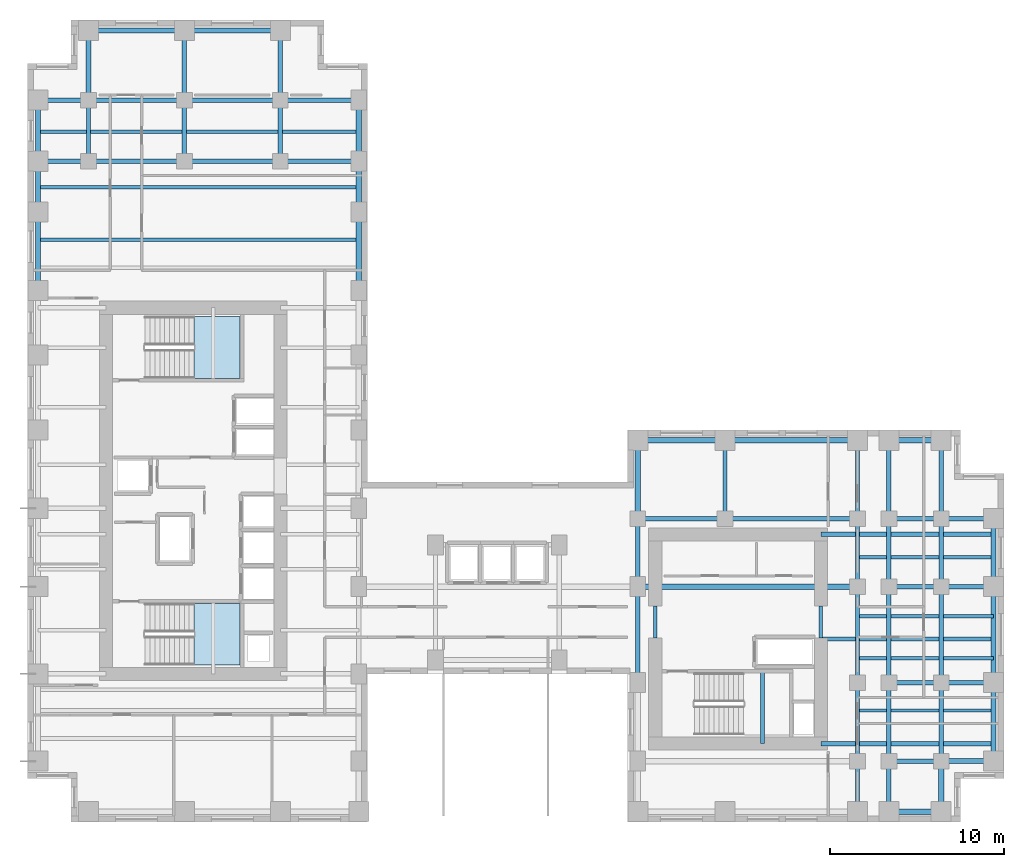
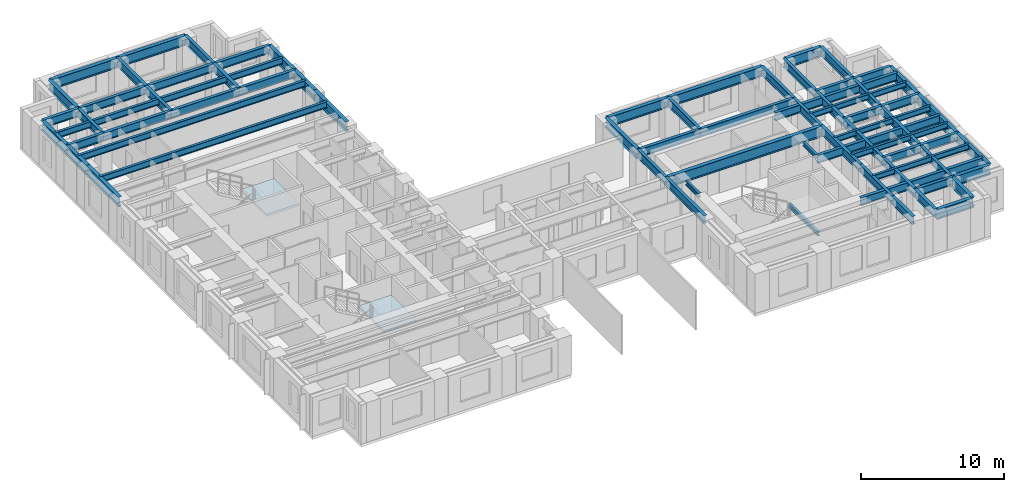
# One storey, part 2 of 11: 72 beams, 2 slabs, 2 elements without a shape of their own.
"""IFC4 building model written with IfcOpenShell, lengths in metres."""

from ifc_helpers import new_model, si_unit, direction, frame, origin, origin_2d, place, context, subcontext, project, spatial, polyline, i_section, outline, extrude, source, transform, mapped, material, layer, layer_set, material_profile, profile_set, type_object, element, aggregate, save


model = new_model("IFC4")

# Units and contexts
model_context = context("Model", 3, precision=1e-05, world=origin(), true_north=direction((0.0, 1.0)))
body_context = subcontext(model_context, "Body", "Model", "MODEL_VIEW")
ifc_project = project(units=[si_unit("LENGTHUNIT", "METRE"), si_unit("AREAUNIT", "SQUARE_METRE"), si_unit("VOLUMEUNIT", "CUBIC_METRE"), si_unit("PLANEANGLEUNIT", "RADIAN"), si_unit("MASSUNIT", "GRAM", prefix="KILO")], contexts=[model_context])

# Site, building, storey
site_placement = place(None, origin())
site = spatial("IfcSite", under=ifc_project, at=site_placement, CompositionType="ELEMENT")
building_placement = place(site_placement, origin())
building = spatial("IfcBuilding", under=site, at=building_placement, Name="Kharzan Plaza Tower", CompositionType="ELEMENT")
storey_placement = place(building_placement, frame((0.0, 0.0, 120.60009765625)))
storey = spatial("IfcBuildingStorey", under=building, at=storey_placement, Name="L32", CompositionType="ELEMENT", Elevation=120.60009765625)

# Beams
ifc_material_1 = material(Name="Steel S355", Category="steel")
ifc_material_profile_1 = material_profile(ifc_material_1, i_section(OverallWidth=0.205078125, OverallDepth=0.35400390625, WebThickness=0.009521484375, FlangeThickness=0.016845703125, at=origin_2d()), Name="W360x79")
ifc_profile_set_1 = profile_set([ifc_material_profile_1], Name="Steel S355")
beam_type_1 = type_object("IfcBeamType", Name="BM-LNT360", PredefinedType="LINTEL", material=ifc_profile_set_1)
shared_shape_1 = source(origin(), body_context, "Body", "SweptSolid", [
    extrude(i_section(OverallWidth=0.205078125, OverallDepth=0.35400390625, WebThickness=0.009521484375, FlangeThickness=0.016845703125, at=origin_2d()), origin(), (0.0, 0.0, 1.0), 1.849853515625),
])
for number, where, z_axis, x_axis, name in (
    (1, (45.5, 10.550048828125, 3.202880859375), (0.0, 1.0, 0.0), (-1.0, 0.0, 0.0), "L32 CORE-B coupling lintel LN1-WE"),
    (2, (36.0, 10.550048828125, 3.202880859375), (0.0, 1.0, 0.0), (-1.0, 0.0, 0.0), "L32 CORE-B coupling lintel LN1-WW"),
):
    element("IfcBeam", number, at=place(storey_placement, frame(where, z_axis=z_axis, x_axis=x_axis)), inside=storey, type_object=beam_type_1, Name=name, PredefinedType="LINTEL", context=body_context, shape_type="MappedRepresentation", body=[
        mapped(shared_shape_1, transform((0.0, 0.0, 0.0), x_axis=(1.0, 0.0, 0.0), y_axis=(0.0, 1.0, 0.0), z_axis=(0.0, 0.0, 1.0))),
    ])
shared_shape_2 = source(origin(), body_context, "Body", "SweptSolid", [
    extrude(i_section(OverallWidth=0.205078125, OverallDepth=0.35400390625, WebThickness=0.009521484375, FlangeThickness=0.016845703125, at=origin_2d()), origin(), (0.0, 0.0, 1.0), 4.155029296875),
])
beam_1_placement = place(storey_placement, frame((42.14990234375, 4.5, 1.4228515625), z_axis=(0.0, 1.0, 0.0), x_axis=(-1.0, 0.0, 0.0)))
element("IfcBeam", 3, at=beam_1_placement, inside=storey, type_object=beam_type_1, Name="L32 Stair ST-3 Half-Landing Beam", PredefinedType="LINTEL", context=body_context, shape_type="MappedRepresentation", body=[
    mapped(shared_shape_2, transform((0.0, 0.0, 0.0), x_axis=(1.0, 0.0, 0.0), y_axis=(0.0, 1.0, 0.0), z_axis=(0.0, 0.0, 1.0))),
])
ifc_material_profile_2 = material_profile(ifc_material_1, i_section(OverallWidth=0.304931640625, OverallDepth=0.9189453125, WebThickness=0.017333984375, FlangeThickness=0.02783203125, at=origin_2d()), Name="W920x253")
ifc_profile_set_2 = profile_set([ifc_material_profile_2], Name="Steel S355")
beam_type_2 = type_object("IfcBeamType", Name="BM-FG920B", PredefinedType="BEAM", material=ifc_profile_set_2)
shared_shape_3 = source(origin(), body_context, "Body", "SweptSolid", [
    extrude(i_section(OverallWidth=0.304931640625, OverallDepth=0.9189453125, WebThickness=0.017333984375, FlangeThickness=0.02783203125, at=origin_2d()), origin(), (0.0, 0.0, 1.0), 12.60009765625),
])
beam_2_placement = place(storey_placement, frame((35.0, 13.5, 2.92041015625), z_axis=(1.0, 0.0, 0.0), x_axis=(0.0, 1.0, 0.0)))
element("IfcBeam", 4, at=beam_2_placement, inside=storey, type_object=beam_type_2, Name="L32 Primary Floor Girder", PredefinedType="BEAM", context=body_context, shape_type="MappedRepresentation", body=[
    mapped(shared_shape_3, transform((0.0, 0.0, 0.0), x_axis=(1.0, 0.0, 0.0), y_axis=(0.0, 1.0, 0.0), z_axis=(0.0, 0.0, 1.0))),
])
ifc_material_profile_3 = material_profile(ifc_material_1, i_section(OverallWidth=0.2099609375, OverallDepth=0.537109375, WebThickness=0.010986328125, FlangeThickness=0.017333984375, at=origin_2d()), Name="W530x101")
ifc_profile_set_3 = profile_set([ifc_material_profile_3], Name="Steel S355")
beam_type_3 = type_object("IfcBeamType", Name="BM-JST530B", PredefinedType="JOIST", material=ifc_profile_set_3)
shared_shape_4 = source(origin(), body_context, "Body", "SweptSolid", [
    extrude(i_section(OverallWidth=0.2099609375, OverallDepth=0.537109375, WebThickness=0.010986328125, FlangeThickness=0.017333984375, at=origin_2d()), origin(), (0.0, 0.0, 1.0), 18.39990234375),
])
for number, where, z_axis, x_axis, name in (
    (5, (0.60009765625, 33.39990234375, 3.111328125), (1.0, 0.0, 0.0), (0.0, 1.0, 0.0), "L32 Wing A Composite Joist 05"),
    (6, (0.60009765625, 36.39990234375, 3.111328125), (1.0, 0.0, 0.0), (0.0, 1.0, 0.0), "L32 Wing A Composite Joist 06"),
    (7, (0.60009765625, 39.60009765625, 3.111328125), (1.0, 0.0, 0.0), (0.0, 1.0, 0.0), "L32 Wing A Composite Joist 07"),
):
    element("IfcBeam", number, at=place(storey_placement, frame(where, z_axis=z_axis, x_axis=x_axis)), inside=storey, type_object=beam_type_3, Name=name, PredefinedType="JOIST", context=body_context, shape_type="MappedRepresentation", body=[
        mapped(shared_shape_4, transform((0.0, 0.0, 0.0), x_axis=(1.0, 0.0, 0.0), y_axis=(0.0, 1.0, 0.0), z_axis=(0.0, 0.0, 1.0))),
    ])
ifc_material_profile_4 = material_profile(ifc_material_1, i_section(OverallWidth=0.25390625, OverallDepth=0.68798828125, WebThickness=0.01318359375, FlangeThickness=0.02099609375, at=origin_2d()), Name="W690x152")
ifc_profile_set_4 = profile_set([ifc_material_profile_4], Name="Steel S355")
beam_type_4 = type_object("IfcBeamType", Name="BM-FG690B", PredefinedType="BEAM", material=ifc_profile_set_4)
shared_shape_5 = source(origin(), body_context, "Body", "SweptSolid", [
    extrude(i_section(OverallWidth=0.25390625, OverallDepth=0.68798828125, WebThickness=0.01318359375, FlangeThickness=0.02099609375, at=origin_2d()), origin(), (0.0, 0.0, 1.0), 4.5),
])
for number, where, z_axis, x_axis, name in (
    (8, (40.0, 17.39990234375, 3.035888671875), (0.0, 1.0, 0.0), (-1.0, 0.0, 0.0), "L32 Interior Frame Girder"),
    (9, (47.60009765625, 3.5, 3.035888671875), (0.0, 1.0, 0.0), (-1.0, 0.0, 0.0), "L32 Interior Frame Girder"),
    (10, (47.60009765625, 17.39990234375, 3.035888671875), (0.0, 1.0, 0.0), (-1.0, 0.0, 0.0), "L32 Interior Frame Girder"),
    (11, (49.39990234375, 3.5, 3.035888671875), (0.0, 1.0, 0.0), (-1.0, 0.0, 0.0), "L32 Interior Frame Girder"),
    (12, (49.39990234375, 17.39990234375, 3.035888671875), (0.0, 1.0, 0.0), (-1.0, 0.0, 0.0), "L32 Interior Frame Girder"),
    (13, (52.39990234375, 3.5, 3.035888671875), (0.0, 1.0, 0.0), (-1.0, 0.0, 0.0), "L32 Interior Frame Girder"),
    (14, (52.39990234375, 17.39990234375, 3.035888671875), (0.0, 1.0, 0.0), (-1.0, 0.0, 0.0), "L32 Interior Frame Girder"),
    (15, (14.5, 37.89990234375, 3.035888671875), (1.0, 0.0, 0.0), (0.0, 1.0, 0.0), "L32 Primary Floor Girder"),
    (16, (14.5, 41.39990234375, 3.035888671875), (1.0, 0.0, 0.0), (0.0, 1.0, 0.0), "L32 Primary Floor Girder"),
):
    element("IfcBeam", number, at=place(storey_placement, frame(where, z_axis=z_axis, x_axis=x_axis)), inside=storey, type_object=beam_type_4, Name=name, PredefinedType="BEAM", context=body_context, shape_type="MappedRepresentation", body=[
        mapped(shared_shape_5, transform((0.0, 0.0, 0.0), x_axis=(1.0, 0.0, 0.0), y_axis=(0.0, 1.0, 0.0), z_axis=(0.0, 0.0, 1.0))),
    ])
shared_shape_6 = source(origin(), body_context, "Body", "SweptSolid", [
    extrude(i_section(OverallWidth=0.25390625, OverallDepth=0.68798828125, WebThickness=0.01318359375, FlangeThickness=0.02099609375, at=origin_2d()), origin(), (0.0, 0.0, 1.0), 3.89990234375),
])
for number, where, z_axis, x_axis, name in (
    (17, (35.0, 13.5, 3.035888671875), (0.0, 1.0, 0.0), (-1.0, 0.0, 0.0), "L32 Interior Frame Girder"),
    (18, (47.60009765625, 13.5, 3.035888671875), (0.0, 1.0, 0.0), (-1.0, 0.0, 0.0), "L32 Interior Frame Girder"),
    (19, (49.39990234375, 13.5, 3.035888671875), (0.0, 1.0, 0.0), (-1.0, 0.0, 0.0), "L32 Interior Frame Girder"),
    (20, (52.39990234375, 13.5, 3.035888671875), (0.0, 1.0, 0.0), (-1.0, 0.0, 0.0), "L32 Interior Frame Girder"),
):
    element("IfcBeam", number, at=place(storey_placement, frame(where, z_axis=z_axis, x_axis=x_axis)), inside=storey, type_object=beam_type_4, Name=name, PredefinedType="BEAM", context=body_context, shape_type="MappedRepresentation", body=[
        mapped(shared_shape_6, transform((0.0, 0.0, 0.0), x_axis=(1.0, 0.0, 0.0), y_axis=(0.0, 1.0, 0.0), z_axis=(0.0, 0.0, 1.0))),
    ])
shared_shape_7 = source(origin(), body_context, "Body", "SweptSolid", [
    extrude(i_section(OverallWidth=0.25390625, OverallDepth=0.68798828125, WebThickness=0.01318359375, FlangeThickness=0.02099609375, at=origin_2d()), origin(), (0.0, 0.0, 1.0), 9.89990234375),
])
for number, where, z_axis, x_axis, name in (
    (21, (45.5, 4.5, 3.035888671875), (1.0, 0.0, 0.0), (0.0, 1.0, 0.0), "L32 Core-B East Floor Girder 1"),
    (22, (45.5, 10.5, 3.035888671875), (1.0, 0.0, 0.0), (0.0, 1.0, 0.0), "L32 Core-B East Floor Girder 2"),
    (23, (45.5, 16.5, 3.035888671875), (1.0, 0.0, 0.0), (0.0, 1.0, 0.0), "L32 Core-B East Floor Girder 3"),
):
    element("IfcBeam", number, at=place(storey_placement, frame(where, z_axis=z_axis, x_axis=x_axis)), inside=storey, type_object=beam_type_4, Name=name, PredefinedType="BEAM", context=body_context, shape_type="MappedRepresentation", body=[
        mapped(shared_shape_7, transform((0.0, 0.0, 0.0), x_axis=(1.0, 0.0, 0.0), y_axis=(0.0, 1.0, 0.0), z_axis=(0.0, 0.0, 1.0))),
    ])
shared_shape_8 = source(origin(), body_context, "Body", "SweptSolid", [
    extrude(i_section(OverallWidth=0.25390625, OverallDepth=0.68798828125, WebThickness=0.01318359375, FlangeThickness=0.02099609375, at=origin_2d()), origin(), (0.0, 0.0, 1.0), 3.5),
])
for number, where, z_axis, x_axis, name in (
    (24, (3.5, 37.89990234375, 3.035888671875), (0.0, 1.0, 0.0), (-1.0, 0.0, 0.0), "L32 Interior Frame Girder"),
    (25, (9.0, 37.89990234375, 3.035888671875), (0.0, 1.0, 0.0), (-1.0, 0.0, 0.0), "L32 Interior Frame Girder"),
    (26, (14.5, 37.89990234375, 3.035888671875), (0.0, 1.0, 0.0), (-1.0, 0.0, 0.0), "L32 Interior Frame Girder"),
):
    element("IfcBeam", number, at=place(storey_placement, frame(where, z_axis=z_axis, x_axis=x_axis)), inside=storey, type_object=beam_type_4, Name=name, PredefinedType="BEAM", context=body_context, shape_type="MappedRepresentation", body=[
        mapped(shared_shape_8, transform((0.0, 0.0, 0.0), x_axis=(1.0, 0.0, 0.0), y_axis=(0.0, 1.0, 0.0), z_axis=(0.0, 0.0, 1.0))),
    ])
shared_shape_9 = source(origin(), body_context, "Body", "SweptSolid", [
    extrude(i_section(OverallWidth=0.25390625, OverallDepth=0.68798828125, WebThickness=0.01318359375, FlangeThickness=0.02099609375, at=origin_2d()), origin(), (0.0, 0.0, 1.0), 4.0),
])
for number, where, z_axis, x_axis, name in (
    (27, (9.0, 41.39990234375, 3.035888671875), (0.0, 1.0, 0.0), (-1.0, 0.0, 0.0), "L32 Interior Frame Girder"),
    (28, (14.5, 41.39990234375, 3.035888671875), (0.0, 1.0, 0.0), (-1.0, 0.0, 0.0), "L32 Interior Frame Girder"),
):
    element("IfcBeam", number, at=place(storey_placement, frame(where, z_axis=z_axis, x_axis=x_axis)), inside=storey, type_object=beam_type_4, Name=name, PredefinedType="BEAM", context=body_context, shape_type="MappedRepresentation", body=[
        mapped(shared_shape_9, transform((0.0, 0.0, 0.0), x_axis=(1.0, 0.0, 0.0), y_axis=(0.0, 1.0, 0.0), z_axis=(0.0, 0.0, 1.0))),
    ])
shared_shape_10 = source(origin(), body_context, "Body", "SweptSolid", [
    extrude(i_section(OverallWidth=0.25390625, OverallDepth=0.68798828125, WebThickness=0.01318359375, FlangeThickness=0.02099609375, at=origin_2d()), origin(), (0.0, 0.0, 1.0), 5.0),
])
beam_3_placement = place(storey_placement, frame((35.0, 17.39990234375, 3.035888671875), z_axis=(1.0, 0.0, 0.0), x_axis=(0.0, 1.0, 0.0)))
element("IfcBeam", 29, at=beam_3_placement, inside=storey, type_object=beam_type_4, Name="L32 Primary Floor Girder", PredefinedType="BEAM", context=body_context, shape_type="MappedRepresentation", body=[
    mapped(shared_shape_10, transform((0.0, 0.0, 0.0), x_axis=(1.0, 0.0, 0.0), y_axis=(0.0, 1.0, 0.0), z_axis=(0.0, 0.0, 1.0))),
])
shared_shape_11 = source(origin(), body_context, "Body", "SweptSolid", [
    extrude(i_section(OverallWidth=0.25390625, OverallDepth=0.68798828125, WebThickness=0.01318359375, FlangeThickness=0.02099609375, at=origin_2d()), origin(), (0.0, 0.0, 1.0), 5.5),
])
for number, where, z_axis, x_axis, name in (
    (30, (35.0, 8.0, 3.035888671875), (0.0, 1.0, 0.0), (-1.0, 0.0, 0.0), "L32 Interior Frame Girder"),
    (31, (47.60009765625, 8.0, 3.035888671875), (0.0, 1.0, 0.0), (-1.0, 0.0, 0.0), "L32 Interior Frame Girder"),
    (32, (49.39990234375, 8.0, 3.035888671875), (0.0, 1.0, 0.0), (-1.0, 0.0, 0.0), "L32 Interior Frame Girder"),
    (33, (52.39990234375, 8.0, 3.035888671875), (0.0, 1.0, 0.0), (-1.0, 0.0, 0.0), "L32 Interior Frame Girder"),
    (34, (3.5, 37.89990234375, 3.035888671875), (1.0, 0.0, 0.0), (0.0, 1.0, 0.0), "L32 Primary Floor Girder"),
    (35, (9.0, 37.89990234375, 3.035888671875), (1.0, 0.0, 0.0), (0.0, 1.0, 0.0), "L32 Primary Floor Girder"),
    (36, (3.5, 41.39990234375, 3.035888671875), (1.0, 0.0, 0.0), (0.0, 1.0, 0.0), "L32 Primary Floor Girder"),
    (37, (9.0, 41.39990234375, 3.035888671875), (1.0, 0.0, 0.0), (0.0, 1.0, 0.0), "L32 Primary Floor Girder"),
):
    element("IfcBeam", number, at=place(storey_placement, frame(where, z_axis=z_axis, x_axis=x_axis)), inside=storey, type_object=beam_type_4, Name=name, PredefinedType="BEAM", context=body_context, shape_type="MappedRepresentation", body=[
        mapped(shared_shape_11, transform((0.0, 0.0, 0.0), x_axis=(1.0, 0.0, 0.0), y_axis=(0.0, 1.0, 0.0), z_axis=(0.0, 0.0, 1.0))),
    ])
shared_shape_12 = source(origin(), body_context, "Body", "SweptSolid", [
    extrude(i_section(OverallWidth=0.25390625, OverallDepth=0.68798828125, WebThickness=0.01318359375, FlangeThickness=0.02099609375, at=origin_2d()), origin(), (0.0, 0.0, 1.0), 2.89990234375),
])
for number, where, z_axis, x_axis, name in (
    (38, (47.60009765625, 0.60009765625, 3.035888671875), (0.0, 1.0, 0.0), (-1.0, 0.0, 0.0), "L32 Interior Frame Girder"),
    (39, (49.39990234375, 0.60009765625, 3.035888671875), (0.0, 1.0, 0.0), (-1.0, 0.0, 0.0), "L32 Interior Frame Girder"),
    (40, (0.60009765625, 37.89990234375, 3.035888671875), (1.0, 0.0, 0.0), (0.0, 1.0, 0.0), "L32 Primary Floor Girder"),
    (41, (0.60009765625, 41.39990234375, 3.035888671875), (1.0, 0.0, 0.0), (0.0, 1.0, 0.0), "L32 Primary Floor Girder"),
):
    element("IfcBeam", number, at=place(storey_placement, frame(where, z_axis=z_axis, x_axis=x_axis)), inside=storey, type_object=beam_type_4, Name=name, PredefinedType="BEAM", context=body_context, shape_type="MappedRepresentation", body=[
        mapped(shared_shape_12, transform((0.0, 0.0, 0.0), x_axis=(1.0, 0.0, 0.0), y_axis=(0.0, 1.0, 0.0), z_axis=(0.0, 0.0, 1.0))),
    ])
shared_shape_13 = source(origin(), body_context, "Body", "SweptSolid", [
    extrude(i_section(OverallWidth=0.25390625, OverallDepth=0.68798828125, WebThickness=0.01318359375, FlangeThickness=0.02099609375, at=origin_2d()), origin(), (0.0, 0.0, 1.0), 3.0),
])
for number, where, z_axis, x_axis, name in (
    (42, (49.39990234375, 3.5, 3.035888671875), (1.0, 0.0, 0.0), (0.0, 1.0, 0.0), "L32 Primary Floor Girder"),
    (43, (49.39990234375, 8.0, 3.035888671875), (1.0, 0.0, 0.0), (0.0, 1.0, 0.0), "L32 Primary Floor Girder"),
    (44, (52.39990234375, 8.0, 3.035888671875), (1.0, 0.0, 0.0), (0.0, 1.0, 0.0), "L32 Primary Floor Girder"),
    (45, (49.39990234375, 13.5, 3.035888671875), (1.0, 0.0, 0.0), (0.0, 1.0, 0.0), "L32 Primary Floor Girder"),
    (46, (52.39990234375, 13.5, 3.035888671875), (1.0, 0.0, 0.0), (0.0, 1.0, 0.0), "L32 Primary Floor Girder"),
    (47, (49.39990234375, 17.39990234375, 3.035888671875), (1.0, 0.0, 0.0), (0.0, 1.0, 0.0), "L32 Primary Floor Girder"),
    (48, (52.39990234375, 17.39990234375, 3.035888671875), (1.0, 0.0, 0.0), (0.0, 1.0, 0.0), "L32 Primary Floor Girder"),
):
    element("IfcBeam", number, at=place(storey_placement, frame(where, z_axis=z_axis, x_axis=x_axis)), inside=storey, type_object=beam_type_4, Name=name, PredefinedType="BEAM", context=body_context, shape_type="MappedRepresentation", body=[
        mapped(shared_shape_13, transform((0.0, 0.0, 0.0), x_axis=(1.0, 0.0, 0.0), y_axis=(0.0, 1.0, 0.0), z_axis=(0.0, 0.0, 1.0))),
    ])
shared_shape_14 = source(origin(), body_context, "Body", "SweptSolid", [
    extrude(i_section(OverallWidth=0.25390625, OverallDepth=0.68798828125, WebThickness=0.01318359375, FlangeThickness=0.02099609375, at=origin_2d()), origin(), (0.0, 0.0, 1.0), 7.60009765625),
])
beam_4_placement = place(storey_placement, frame((40.0, 17.39990234375, 3.035888671875), z_axis=(1.0, 0.0, 0.0), x_axis=(0.0, 1.0, 0.0)))
element("IfcBeam", 49, at=beam_4_placement, inside=storey, type_object=beam_type_4, Name="L32 Primary Floor Girder", PredefinedType="BEAM", context=body_context, shape_type="MappedRepresentation", body=[
    mapped(shared_shape_14, transform((0.0, 0.0, 0.0), x_axis=(1.0, 0.0, 0.0), y_axis=(0.0, 1.0, 0.0), z_axis=(0.0, 0.0, 1.0))),
])
ifc_material_profile_5 = material_profile(ifc_material_1, i_section(OverallWidth=0.194091796875, OverallDepth=0.468994140625, WebThickness=0.011474609375, FlangeThickness=0.0205078125, at=origin_2d()), Name="W460x106")
ifc_profile_set_5 = profile_set([ifc_material_profile_5], Name="Steel S355")
beam_type_5 = type_object("IfcBeamType", Name="BM-JST460", PredefinedType="JOIST", material=ifc_profile_set_5)
shared_shape_15 = source(origin(), body_context, "Body", "SweptSolid", [
    extrude(i_section(OverallWidth=0.194091796875, OverallDepth=0.468994140625, WebThickness=0.011474609375, FlangeThickness=0.0205078125, at=origin_2d()), origin(), (0.0, 0.0, 1.0), 7.7998046875),
])
for number, where, z_axis, x_axis, name in (
    (50, (47.60009765625, 6.39990234375, 3.1455078125), (1.0, 0.0, 0.0), (0.0, 1.0, 0.0), "L32 Wing B Composite Joist 02"),
    (51, (47.60009765625, 9.39990234375, 3.1455078125), (1.0, 0.0, 0.0), (0.0, 1.0, 0.0), "L32 Wing B Composite Joist 03"),
    (52, (47.60009765625, 11.800048828125, 3.1455078125), (1.0, 0.0, 0.0), (0.0, 1.0, 0.0), "L32 Wing B Composite Joist 04"),
    (53, (47.60009765625, 15.199951171875, 3.1455078125), (1.0, 0.0, 0.0), (0.0, 1.0, 0.0), "L32 Wing B Composite Joist 05"),
):
    element("IfcBeam", number, at=place(storey_placement, frame(where, z_axis=z_axis, x_axis=x_axis)), inside=storey, type_object=beam_type_5, Name=name, PredefinedType="JOIST", context=body_context, shape_type="MappedRepresentation", body=[
        mapped(shared_shape_15, transform((0.0, 0.0, 0.0), x_axis=(1.0, 0.0, 0.0), y_axis=(0.0, 1.0, 0.0), z_axis=(0.0, 0.0, 1.0))),
    ])
ifc_material_profile_6 = material_profile(ifc_material_1, i_section(OverallWidth=0.299072265625, OverallDepth=0.845947265625, WebThickness=0.015380859375, FlangeThickness=0.0244140625, at=origin_2d()), Name="W840x210")
ifc_profile_set_6 = profile_set([ifc_material_profile_6], Name="Steel S355")
beam_type_6 = type_object("IfcBeamType", Name="BM-SP840B", PredefinedType="SPANDREL", material=ifc_profile_set_6)
shared_shape_16 = source(origin(), body_context, "Body", "SweptSolid", [
    extrude(i_section(OverallWidth=0.299072265625, OverallDepth=0.845947265625, WebThickness=0.015380859375, FlangeThickness=0.0244140625, at=origin_2d()), origin(), (0.0, 0.0, 1.0), 5.0),
])
beam_5_placement = place(storey_placement, frame((35.0, 21.89990234375, 2.956787109375), z_axis=(1.0, 0.0, 0.0), x_axis=(0.0, 1.0, 0.0)))
element("IfcBeam", 54, at=beam_5_placement, inside=storey, type_object=beam_type_6, Name="L32 Perimeter Tube Spandrel", PredefinedType="SPANDREL", context=body_context, shape_type="MappedRepresentation", body=[
    mapped(shared_shape_16, transform((0.0, 0.0, 0.0), x_axis=(1.0, 0.0, 0.0), y_axis=(0.0, 1.0, 0.0), z_axis=(0.0, 0.0, 1.0))),
])
shared_shape_17 = source(origin(), body_context, "Body", "SweptSolid", [
    extrude(i_section(OverallWidth=0.299072265625, OverallDepth=0.845947265625, WebThickness=0.015380859375, FlangeThickness=0.0244140625, at=origin_2d()), origin(), (0.0, 0.0, 1.0), 4.5),
])
for number, where, z_axis, x_axis, name in (
    (55, (0.60009765625, 30.5, 2.956787109375), (0.0, 1.0, 0.0), (-1.0, 0.0, 0.0), "L32 Perimeter Tube Spandrel"),
    (56, (19.0, 30.5, 2.956787109375), (0.0, 1.0, 0.0), (-1.0, 0.0, 0.0), "L32 Perimeter Tube Spandrel"),
    (57, (35.0, 17.39990234375, 2.956787109375), (0.0, 1.0, 0.0), (-1.0, 0.0, 0.0), "L32 Perimeter Tube Spandrel"),
    (58, (55.39990234375, 3.5, 2.956787109375), (0.0, 1.0, 0.0), (-1.0, 0.0, 0.0), "L32 Perimeter Tube Spandrel"),
):
    element("IfcBeam", number, at=place(storey_placement, frame(where, z_axis=z_axis, x_axis=x_axis)), inside=storey, type_object=beam_type_6, Name=name, PredefinedType="SPANDREL", context=body_context, shape_type="MappedRepresentation", body=[
        mapped(shared_shape_17, transform((0.0, 0.0, 0.0), x_axis=(1.0, 0.0, 0.0), y_axis=(0.0, 1.0, 0.0), z_axis=(0.0, 0.0, 1.0))),
    ])
shared_shape_18 = source(origin(), body_context, "Body", "SweptSolid", [
    extrude(i_section(OverallWidth=0.299072265625, OverallDepth=0.845947265625, WebThickness=0.015380859375, FlangeThickness=0.0244140625, at=origin_2d()), origin(), (0.0, 0.0, 1.0), 2.89990234375),
])
for number, where, z_axis, x_axis, name in (
    (59, (0.60009765625, 35.0, 2.956787109375), (0.0, 1.0, 0.0), (-1.0, 0.0, 0.0), "L32 Perimeter Tube Spandrel"),
    (60, (19.0, 35.0, 2.956787109375), (0.0, 1.0, 0.0), (-1.0, 0.0, 0.0), "L32 Perimeter Tube Spandrel"),
    (61, (52.39990234375, 0.60009765625, 2.956787109375), (0.0, 1.0, 0.0), (-1.0, 0.0, 0.0), "L32 Perimeter Tube Spandrel"),
):
    element("IfcBeam", number, at=place(storey_placement, frame(where, z_axis=z_axis, x_axis=x_axis)), inside=storey, type_object=beam_type_6, Name=name, PredefinedType="SPANDREL", context=body_context, shape_type="MappedRepresentation", body=[
        mapped(shared_shape_18, transform((0.0, 0.0, 0.0), x_axis=(1.0, 0.0, 0.0), y_axis=(0.0, 1.0, 0.0), z_axis=(0.0, 0.0, 1.0))),
    ])
shared_shape_19 = source(origin(), body_context, "Body", "SweptSolid", [
    extrude(i_section(OverallWidth=0.299072265625, OverallDepth=0.845947265625, WebThickness=0.015380859375, FlangeThickness=0.0244140625, at=origin_2d()), origin(), (0.0, 0.0, 1.0), 3.5),
])
for number, where, z_axis, x_axis, name in (
    (62, (0.60009765625, 37.89990234375, 2.956787109375), (0.0, 1.0, 0.0), (-1.0, 0.0, 0.0), "L32 Perimeter Tube Spandrel"),
    (63, (19.0, 37.89990234375, 2.956787109375), (0.0, 1.0, 0.0), (-1.0, 0.0, 0.0), "L32 Perimeter Tube Spandrel"),
):
    element("IfcBeam", number, at=place(storey_placement, frame(where, z_axis=z_axis, x_axis=x_axis)), inside=storey, type_object=beam_type_6, Name=name, PredefinedType="SPANDREL", context=body_context, shape_type="MappedRepresentation", body=[
        mapped(shared_shape_19, transform((0.0, 0.0, 0.0), x_axis=(1.0, 0.0, 0.0), y_axis=(0.0, 1.0, 0.0), z_axis=(0.0, 0.0, 1.0))),
    ])
shared_shape_20 = source(origin(), body_context, "Body", "SweptSolid", [
    extrude(i_section(OverallWidth=0.299072265625, OverallDepth=0.845947265625, WebThickness=0.015380859375, FlangeThickness=0.0244140625, at=origin_2d()), origin(), (0.0, 0.0, 1.0), 4.0),
])
beam_6_placement = place(storey_placement, frame((3.5, 41.39990234375, 2.956787109375), z_axis=(0.0, 1.0, 0.0), x_axis=(-1.0, 0.0, 0.0)))
element("IfcBeam", 64, at=beam_6_placement, inside=storey, type_object=beam_type_6, Name="L32 Perimeter Tube Spandrel", PredefinedType="SPANDREL", context=body_context, shape_type="MappedRepresentation", body=[
    mapped(shared_shape_20, transform((0.0, 0.0, 0.0), x_axis=(1.0, 0.0, 0.0), y_axis=(0.0, 1.0, 0.0), z_axis=(0.0, 0.0, 1.0))),
])
shared_shape_21 = source(origin(), body_context, "Body", "SweptSolid", [
    extrude(i_section(OverallWidth=0.299072265625, OverallDepth=0.845947265625, WebThickness=0.015380859375, FlangeThickness=0.0244140625, at=origin_2d()), origin(), (0.0, 0.0, 1.0), 5.5),
])
for number, where, z_axis, x_axis, name in (
    (65, (55.39990234375, 8.0, 2.956787109375), (0.0, 1.0, 0.0), (-1.0, 0.0, 0.0), "L32 Perimeter Tube Spandrel"),
    (66, (3.5, 45.39990234375, 2.956787109375), (1.0, 0.0, 0.0), (0.0, 1.0, 0.0), "L32 Perimeter Tube Spandrel"),
    (67, (9.0, 45.39990234375, 2.956787109375), (1.0, 0.0, 0.0), (0.0, 1.0, 0.0), "L32 Perimeter Tube Spandrel"),
):
    element("IfcBeam", number, at=place(storey_placement, frame(where, z_axis=z_axis, x_axis=x_axis)), inside=storey, type_object=beam_type_6, Name=name, PredefinedType="SPANDREL", context=body_context, shape_type="MappedRepresentation", body=[
        mapped(shared_shape_21, transform((0.0, 0.0, 0.0), x_axis=(1.0, 0.0, 0.0), y_axis=(0.0, 1.0, 0.0), z_axis=(0.0, 0.0, 1.0))),
    ])
shared_shape_22 = source(origin(), body_context, "Body", "SweptSolid", [
    extrude(i_section(OverallWidth=0.299072265625, OverallDepth=0.845947265625, WebThickness=0.015380859375, FlangeThickness=0.0244140625, at=origin_2d()), origin(), (0.0, 0.0, 1.0), 3.89990234375),
])
beam_7_placement = place(storey_placement, frame((55.39990234375, 13.5, 2.956787109375), z_axis=(0.0, 1.0, 0.0), x_axis=(-1.0, 0.0, 0.0)))
element("IfcBeam", 68, at=beam_7_placement, inside=storey, type_object=beam_type_6, Name="L32 Perimeter Tube Spandrel", PredefinedType="SPANDREL", context=body_context, shape_type="MappedRepresentation", body=[
    mapped(shared_shape_22, transform((0.0, 0.0, 0.0), x_axis=(1.0, 0.0, 0.0), y_axis=(0.0, 1.0, 0.0), z_axis=(0.0, 0.0, 1.0))),
])
shared_shape_23 = source(origin(), body_context, "Body", "SweptSolid", [
    extrude(i_section(OverallWidth=0.299072265625, OverallDepth=0.845947265625, WebThickness=0.015380859375, FlangeThickness=0.0244140625, at=origin_2d()), origin(), (0.0, 0.0, 1.0), 7.60009765625),
])
beam_8_placement = place(storey_placement, frame((40.0, 21.89990234375, 2.956787109375), z_axis=(1.0, 0.0, 0.0), x_axis=(0.0, 1.0, 0.0)))
element("IfcBeam", 69, at=beam_8_placement, inside=storey, type_object=beam_type_6, Name="L32 Perimeter Tube Spandrel", PredefinedType="SPANDREL", context=body_context, shape_type="MappedRepresentation", body=[
    mapped(shared_shape_23, transform((0.0, 0.0, 0.0), x_axis=(1.0, 0.0, 0.0), y_axis=(0.0, 1.0, 0.0), z_axis=(0.0, 0.0, 1.0))),
])
shared_shape_24 = source(origin(), body_context, "Body", "SweptSolid", [
    extrude(i_section(OverallWidth=0.299072265625, OverallDepth=0.845947265625, WebThickness=0.015380859375, FlangeThickness=0.0244140625, at=origin_2d()), origin(), (0.0, 0.0, 1.0), 3.0),
])
for number, where, z_axis, x_axis, name in (
    (70, (49.39990234375, 0.60009765625, 2.956787109375), (1.0, 0.0, 0.0), (0.0, 1.0, 0.0), "L32 Perimeter Tube Spandrel"),
    (71, (52.39990234375, 3.5, 2.956787109375), (1.0, 0.0, 0.0), (0.0, 1.0, 0.0), "L32 Perimeter Tube Spandrel"),
    (72, (49.39990234375, 21.89990234375, 2.956787109375), (1.0, 0.0, 0.0), (0.0, 1.0, 0.0), "L32 Perimeter Tube Spandrel"),
):
    element("IfcBeam", number, at=place(storey_placement, frame(where, z_axis=z_axis, x_axis=x_axis)), inside=storey, type_object=beam_type_6, Name=name, PredefinedType="SPANDREL", context=body_context, shape_type="MappedRepresentation", body=[
        mapped(shared_shape_24, transform((0.0, 0.0, 0.0), x_axis=(1.0, 0.0, 0.0), y_axis=(0.0, 1.0, 0.0), z_axis=(0.0, 0.0, 1.0))),
    ])

# Stair, slab
ifc_material_2 = material(Name="Concrete C40/50", Category="concrete")
stair_type_1 = type_object("IfcStairType", Name="STR-ST-1", PredefinedType="HALF_TURN_STAIR", material=ifc_material_2)
stair_1_placement = place(storey_placement, origin())
stair_1 = element("IfcStair", 73, at=stair_1_placement, inside=storey, type_object=stair_type_1, Name="L32 Protected Exit Stair ST-1", PredefinedType="HALF_TURN_STAIR")
ifc_layer = layer(ifc_material_2, 0.219970703125)
ifc_layer_set = layer_set([ifc_layer], Name="Concrete C40/50")
slab_type = type_object("IfcSlabType", Name="SL-LANDING-220", PredefinedType="LANDING", material=ifc_layer_set)
slab_1_placement = place(storey_placement, frame((0.0, 0.0, 1.599853515625)))
slab_1 = element("IfcSlab", 74, at=slab_1_placement, type_object=slab_type, Name="ST-1 landing 1", PredefinedType="LANDING", context=body_context, shape_type="SweptSolid", body=[
    extrude(outline(polyline([(9.550048828125, 9.0), (12.199951171875, 9.0), (12.199951171875, 12.550048828125), (9.550048828125, 12.550048828125), (9.550048828125, 9.0)])), origin(), (0.0, 0.0, 1.0), 0.199951171875),
])
aggregate(stair_1, [slab_1])

stair_type_2 = type_object("IfcStairType", Name="STR-ST-2", PredefinedType="HALF_TURN_STAIR", material=ifc_material_2)
stair_2_placement = place(storey_placement, origin())
stair_2 = element("IfcStair", 75, at=stair_2_placement, inside=storey, type_object=stair_type_2, Name="L32 Protected Exit Stair ST-2", PredefinedType="HALF_TURN_STAIR")
slab_2_placement = place(storey_placement, frame((0.0, 0.0, 1.599853515625)))
slab_2 = element("IfcSlab", 76, at=slab_2_placement, type_object=slab_type, Name="ST-2 landing 1", PredefinedType="LANDING", context=body_context, shape_type="SweptSolid", body=[
    extrude(outline(polyline([(9.550048828125, 25.449951171875), (12.199951171875, 25.449951171875), (12.199951171875, 29.0), (9.550048828125, 29.0), (9.550048828125, 25.449951171875)])), origin(), (0.0, 0.0, 1.0), 0.199951171875),
])
aggregate(stair_2, [slab_2])

save(model, "model.ifc")
